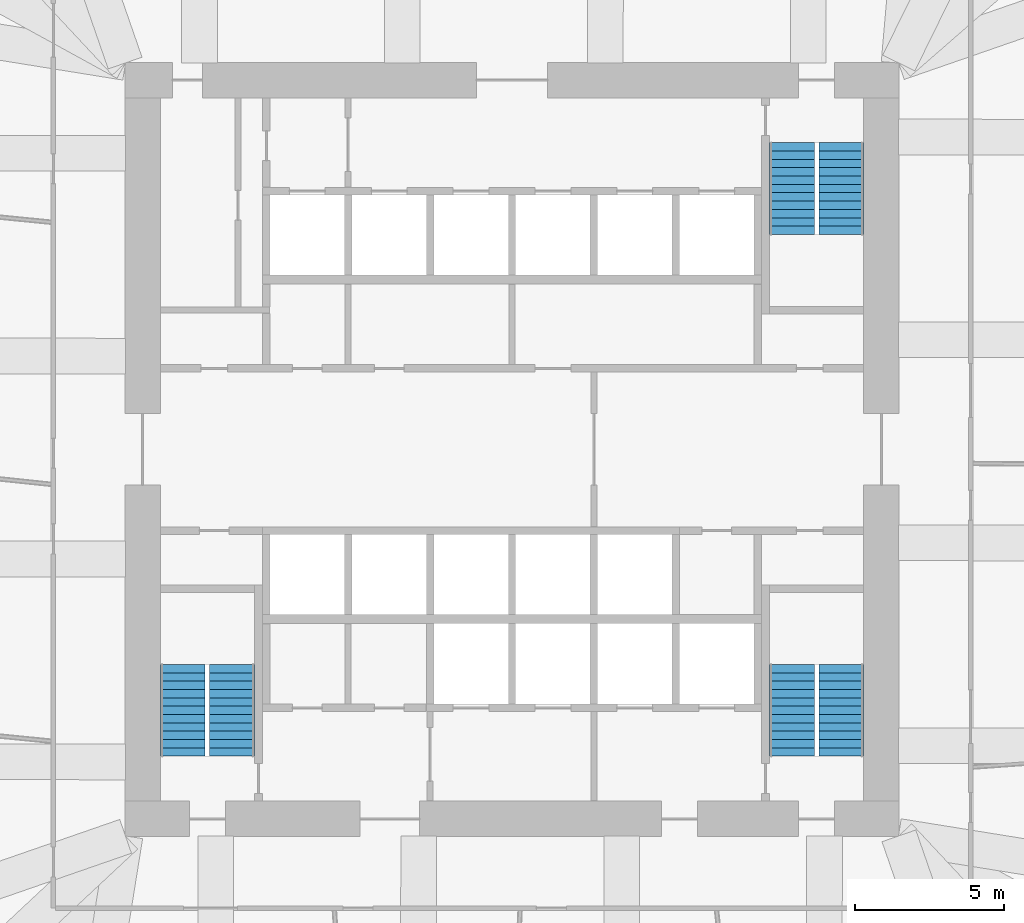
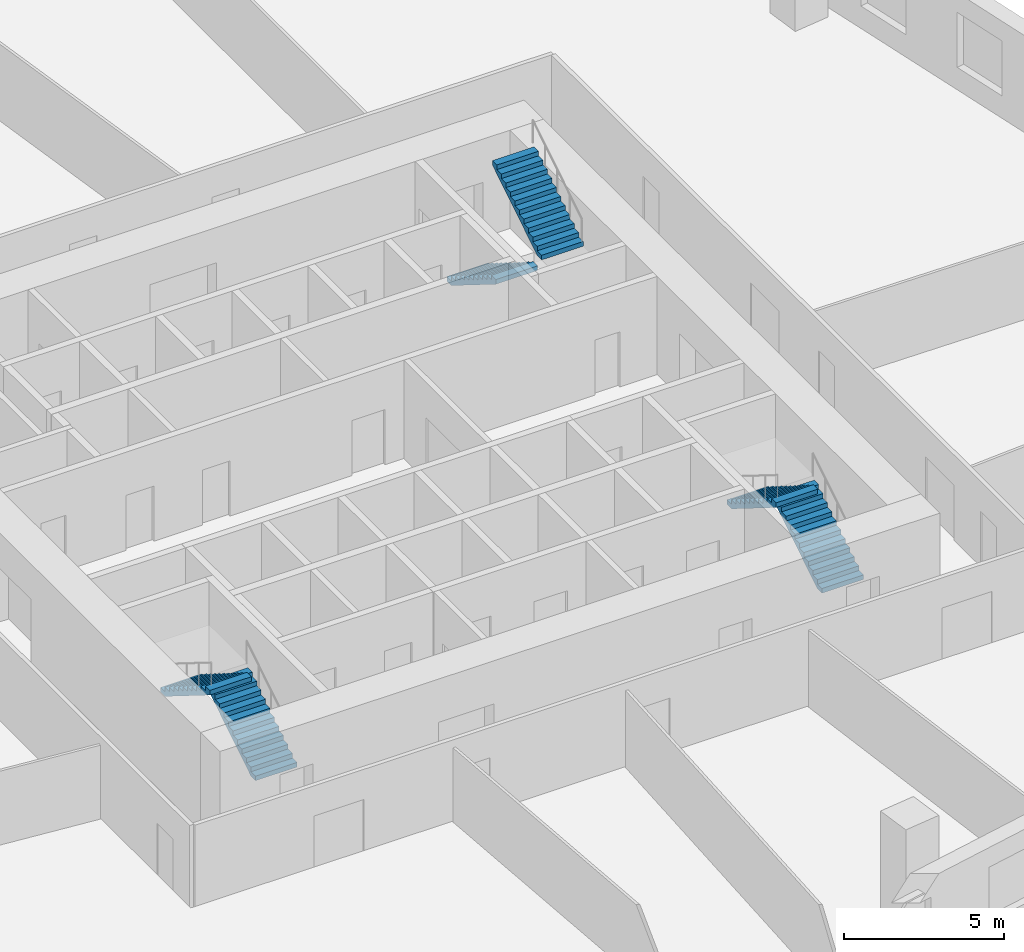
# One storey, part 8 of 10: 6 stair flights, 3 elements without a shape of their own.
"""IFC4 building model written with IfcOpenShell, lengths in metres."""

from ifc_helpers import new_model, si_unit, direction, frame, origin, place, context, subcontext, project, spatial, polyline, outline, extrude, material, type_object, element, aggregate, save


model = new_model("IFC4")

# Units and contexts
model_context = context("Model", 3, precision=1e-05, world=origin(), true_north=direction((0.0, 1.0)))
body_context = subcontext(model_context, "Body", "Model", "MODEL_VIEW")
ifc_project = project(units=[si_unit("LENGTHUNIT", "METRE"), si_unit("AREAUNIT", "SQUARE_METRE"), si_unit("VOLUMEUNIT", "CUBIC_METRE"), si_unit("PLANEANGLEUNIT", "RADIAN"), si_unit("MASSUNIT", "GRAM", prefix="KILO")], contexts=[model_context])

# Site, building, storey
site_placement = place(None, origin())
site = spatial("IfcSite", under=ifc_project, at=site_placement, CompositionType="ELEMENT")
building_placement = place(site_placement, origin())
building = spatial("IfcBuilding", under=site, at=building_placement, Name="Dilmun Exchange Tower", CompositionType="ELEMENT")
storey_placement = place(building_placement, frame((0.0, 0.0, 72.300048828125)))
storey = spatial("IfcBuildingStorey", under=building, at=storey_placement, Name="L16", CompositionType="ELEMENT", Elevation=72.300048828125)

# Stair, stair flights
ifc_material = material(Name="Concrete C40/50", Category="concrete")
stair_type = type_object("IfcStairType", Name="Exit stair 1500 half-turn", PredefinedType="HALF_TURN_STAIR", material=ifc_material)
stair_1_placement = place(storey_placement, origin())
stair_1 = element("IfcStair", 1, at=stair_1_placement, inside=storey, type_object=stair_type, Name="L16 Protected exit stair ST1", PredefinedType="HALF_TURN_STAIR")
stair_flight_type = type_object("IfcStairFlightType", Name="Exit stair flight 1500", PredefinedType="STRAIGHT", material=ifc_material)
stair_flight_1_placement = place(storey_placement, frame((9.39990234375, 10.300048828125, 0.0), z_axis=(0.0, 0.0, 1.0), x_axis=(0.0, -1.0, 0.0)))
stair_flight_1 = element("IfcStairFlight", 2, at=stair_flight_1_placement, type_object=stair_flight_type, Name="ST1 flight 1", NumberOfRisers=12, NumberOfTreads=11, PredefinedType="STRAIGHT", RiserHeight=0.175, TreadLength=0.28, context=body_context, shape_type="SweptSolid", body=[
    extrude(outline(polyline([(0.0, 0.0), (0.0, 0.175048828125), (0.280029296875, 0.175048828125), (0.280029296875, 0.35009765625), (0.56005859375, 0.35009765625), (0.56005859375, 0.52490234375), (0.840087890625, 0.52490234375), (0.840087890625, 0.699951171875), (1.1201171875, 0.699951171875), (1.1201171875, 0.875), (1.39990234375, 0.875), (1.39990234375, 1.050048828125), (1.679931640625, 1.050048828125), (1.679931640625, 1.22509765625), (1.9599609375, 1.22509765625), (1.9599609375, 1.39990234375), (2.239990234375, 1.39990234375), (2.239990234375, 1.574951171875), (2.52001953125, 1.574951171875), (2.52001953125, 1.75), (2.800048828125, 1.75), (2.800048828125, 1.925048828125), (3.080078125, 1.925048828125), (3.080078125, 2.10009765625), (3.080078125, 1.748291015625), (0.28271484375, 0.0), (0.0, 0.0)])), frame((0.0, 0.75, 0.0), z_axis=(0.0, -1.0, 0.0), x_axis=(1.0, 0.0, 0.0)), (0.0, 0.0, 1.0), 1.5),
])
stair_flight_2_placement = place(storey_placement, frame((11.050048828125, 7.219970703125, 2.099853515625), z_axis=(0.0, 0.0, 1.0), x_axis=(0.0, 1.0, 0.0)))
stair_flight_2 = element("IfcStairFlight", 3, at=stair_flight_2_placement, type_object=stair_flight_type, Name="ST1 flight 2", NumberOfRisers=12, NumberOfTreads=11, PredefinedType="STRAIGHT", RiserHeight=0.175, TreadLength=0.28, context=body_context, shape_type="SweptSolid", body=[
    extrude(outline(polyline([(0.0, 0.0), (0.0, 0.175048828125), (0.280029296875, 0.175048828125), (0.280029296875, 0.35009765625), (0.56005859375, 0.35009765625), (0.56005859375, 0.52490234375), (0.840087890625, 0.52490234375), (0.840087890625, 0.699951171875), (1.1201171875, 0.699951171875), (1.1201171875, 0.875), (1.39990234375, 0.875), (1.39990234375, 1.050048828125), (1.679931640625, 1.050048828125), (1.679931640625, 1.22509765625), (1.9599609375, 1.22509765625), (1.9599609375, 1.39990234375), (2.239990234375, 1.39990234375), (2.239990234375, 1.574951171875), (2.52001953125, 1.574951171875), (2.52001953125, 1.75), (2.800048828125, 1.75), (2.800048828125, 1.925048828125), (3.080078125, 1.925048828125), (3.080078125, 2.10009765625), (3.080078125, 1.748291015625), (0.28271484375, 0.0), (0.0, 0.0)])), frame((0.0, 0.75, 0.0), z_axis=(0.0, -1.0, 0.0), x_axis=(1.0, 0.0, 0.0)), (0.0, 0.0, 1.0), 1.5),
])
aggregate(stair_1, [stair_flight_1, stair_flight_2])

stair_2_placement = place(storey_placement, origin())
stair_2 = element("IfcStair", 4, at=stair_2_placement, inside=storey, type_object=stair_type, Name="L16 Protected exit stair ST2", PredefinedType="HALF_TURN_STAIR")
stair_flight_3_placement = place(storey_placement, frame((-9.39990234375, -10.300048828125, 0.0), z_axis=(0.0, 0.0, 1.0), x_axis=(0.0, 1.0, 0.0)))
stair_flight_3 = element("IfcStairFlight", 5, at=stair_flight_3_placement, type_object=stair_flight_type, Name="ST2 flight 1", NumberOfRisers=12, NumberOfTreads=11, PredefinedType="STRAIGHT", RiserHeight=0.175, TreadLength=0.28, context=body_context, shape_type="SweptSolid", body=[
    extrude(outline(polyline([(0.0, 0.0), (0.0, 0.175048828125), (0.280029296875, 0.175048828125), (0.280029296875, 0.35009765625), (0.56005859375, 0.35009765625), (0.56005859375, 0.52490234375), (0.840087890625, 0.52490234375), (0.840087890625, 0.699951171875), (1.1201171875, 0.699951171875), (1.1201171875, 0.875), (1.39990234375, 0.875), (1.39990234375, 1.050048828125), (1.679931640625, 1.050048828125), (1.679931640625, 1.22509765625), (1.9599609375, 1.22509765625), (1.9599609375, 1.39990234375), (2.239990234375, 1.39990234375), (2.239990234375, 1.574951171875), (2.52001953125, 1.574951171875), (2.52001953125, 1.75), (2.800048828125, 1.75), (2.800048828125, 1.925048828125), (3.080078125, 1.925048828125), (3.080078125, 2.10009765625), (3.080078125, 1.748291015625), (0.28271484375, 0.0), (0.0, 0.0)])), frame((0.0, 0.75, 0.0), z_axis=(0.0, -1.0, 0.0), x_axis=(1.0, 0.0, 0.0)), (0.0, 0.0, 1.0), 1.5),
])
stair_flight_4_placement = place(storey_placement, frame((-11.050048828125, -7.219970703125, 2.099853515625), z_axis=(0.0, 0.0, 1.0), x_axis=(0.0, -1.0, 0.0)))
stair_flight_4 = element("IfcStairFlight", 6, at=stair_flight_4_placement, type_object=stair_flight_type, Name="ST2 flight 2", NumberOfRisers=12, NumberOfTreads=11, PredefinedType="STRAIGHT", RiserHeight=0.175, TreadLength=0.28, context=body_context, shape_type="SweptSolid", body=[
    extrude(outline(polyline([(0.0, 0.0), (0.0, 0.175048828125), (0.280029296875, 0.175048828125), (0.280029296875, 0.35009765625), (0.56005859375, 0.35009765625), (0.56005859375, 0.52490234375), (0.840087890625, 0.52490234375), (0.840087890625, 0.699951171875), (1.1201171875, 0.699951171875), (1.1201171875, 0.875), (1.39990234375, 0.875), (1.39990234375, 1.050048828125), (1.679931640625, 1.050048828125), (1.679931640625, 1.22509765625), (1.9599609375, 1.22509765625), (1.9599609375, 1.39990234375), (2.239990234375, 1.39990234375), (2.239990234375, 1.574951171875), (2.52001953125, 1.574951171875), (2.52001953125, 1.75), (2.800048828125, 1.75), (2.800048828125, 1.925048828125), (3.080078125, 1.925048828125), (3.080078125, 2.10009765625), (3.080078125, 1.748291015625), (0.28271484375, 0.0), (0.0, 0.0)])), frame((0.0, 0.75, 0.0), z_axis=(0.0, -1.0, 0.0), x_axis=(1.0, 0.0, 0.0)), (0.0, 0.0, 1.0), 1.5),
])
aggregate(stair_2, [stair_flight_3, stair_flight_4])

stair_3_placement = place(storey_placement, origin())
stair_3 = element("IfcStair", 7, at=stair_3_placement, inside=storey, type_object=stair_type, Name="L16 Protected exit stair ST3", PredefinedType="HALF_TURN_STAIR")
stair_flight_5_placement = place(storey_placement, frame((11.050048828125, -10.300048828125, 0.0), z_axis=(0.0, 0.0, 1.0), x_axis=(0.0, 1.0, 0.0)))
stair_flight_5 = element("IfcStairFlight", 8, at=stair_flight_5_placement, type_object=stair_flight_type, Name="ST3 flight 1", NumberOfRisers=12, NumberOfTreads=11, PredefinedType="STRAIGHT", RiserHeight=0.175, TreadLength=0.28, context=body_context, shape_type="SweptSolid", body=[
    extrude(outline(polyline([(0.0, 0.0), (0.0, 0.175048828125), (0.280029296875, 0.175048828125), (0.280029296875, 0.35009765625), (0.56005859375, 0.35009765625), (0.56005859375, 0.52490234375), (0.840087890625, 0.52490234375), (0.840087890625, 0.699951171875), (1.1201171875, 0.699951171875), (1.1201171875, 0.875), (1.39990234375, 0.875), (1.39990234375, 1.050048828125), (1.679931640625, 1.050048828125), (1.679931640625, 1.22509765625), (1.9599609375, 1.22509765625), (1.9599609375, 1.39990234375), (2.239990234375, 1.39990234375), (2.239990234375, 1.574951171875), (2.52001953125, 1.574951171875), (2.52001953125, 1.75), (2.800048828125, 1.75), (2.800048828125, 1.925048828125), (3.080078125, 1.925048828125), (3.080078125, 2.10009765625), (3.080078125, 1.748291015625), (0.28271484375, 0.0), (0.0, 0.0)])), frame((0.0, 0.75, 0.0), z_axis=(0.0, -1.0, 0.0), x_axis=(1.0, 0.0, 0.0)), (0.0, 0.0, 1.0), 1.5),
])
stair_flight_6_placement = place(storey_placement, frame((9.39990234375, -7.219970703125, 2.099853515625), z_axis=(0.0, 0.0, 1.0), x_axis=(0.0, -1.0, 0.0)))
stair_flight_6 = element("IfcStairFlight", 9, at=stair_flight_6_placement, type_object=stair_flight_type, Name="ST3 flight 2", NumberOfRisers=12, NumberOfTreads=11, PredefinedType="STRAIGHT", RiserHeight=0.175, TreadLength=0.28, context=body_context, shape_type="SweptSolid", body=[
    extrude(outline(polyline([(0.0, 0.0), (0.0, 0.175048828125), (0.280029296875, 0.175048828125), (0.280029296875, 0.35009765625), (0.56005859375, 0.35009765625), (0.56005859375, 0.52490234375), (0.840087890625, 0.52490234375), (0.840087890625, 0.699951171875), (1.1201171875, 0.699951171875), (1.1201171875, 0.875), (1.39990234375, 0.875), (1.39990234375, 1.050048828125), (1.679931640625, 1.050048828125), (1.679931640625, 1.22509765625), (1.9599609375, 1.22509765625), (1.9599609375, 1.39990234375), (2.239990234375, 1.39990234375), (2.239990234375, 1.574951171875), (2.52001953125, 1.574951171875), (2.52001953125, 1.75), (2.800048828125, 1.75), (2.800048828125, 1.925048828125), (3.080078125, 1.925048828125), (3.080078125, 2.10009765625), (3.080078125, 1.748291015625), (0.28271484375, 0.0), (0.0, 0.0)])), frame((0.0, 0.75, 0.0), z_axis=(0.0, -1.0, 0.0), x_axis=(1.0, 0.0, 0.0)), (0.0, 0.0, 1.0), 1.5),
])
aggregate(stair_3, [stair_flight_5, stair_flight_6])

save(model, "model.ifc")
